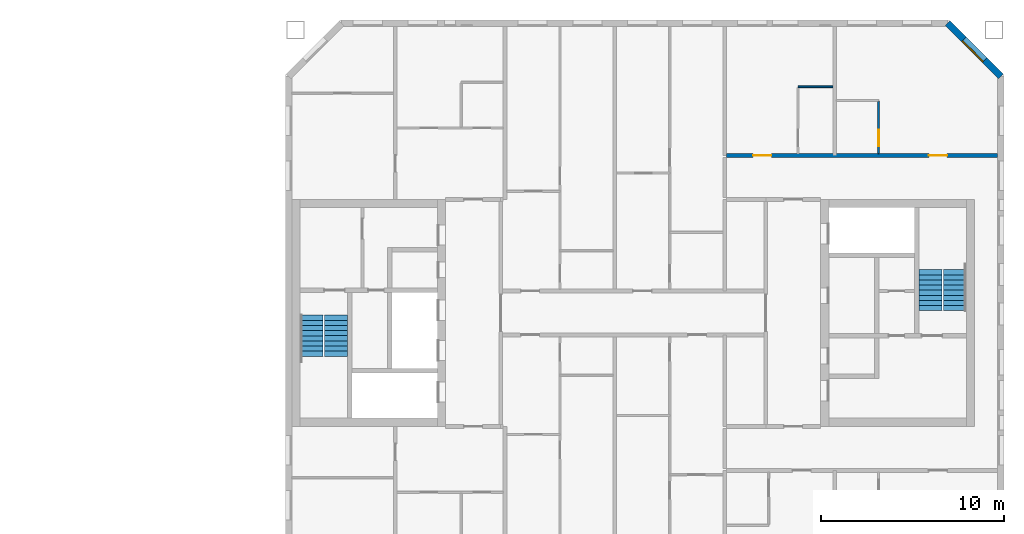
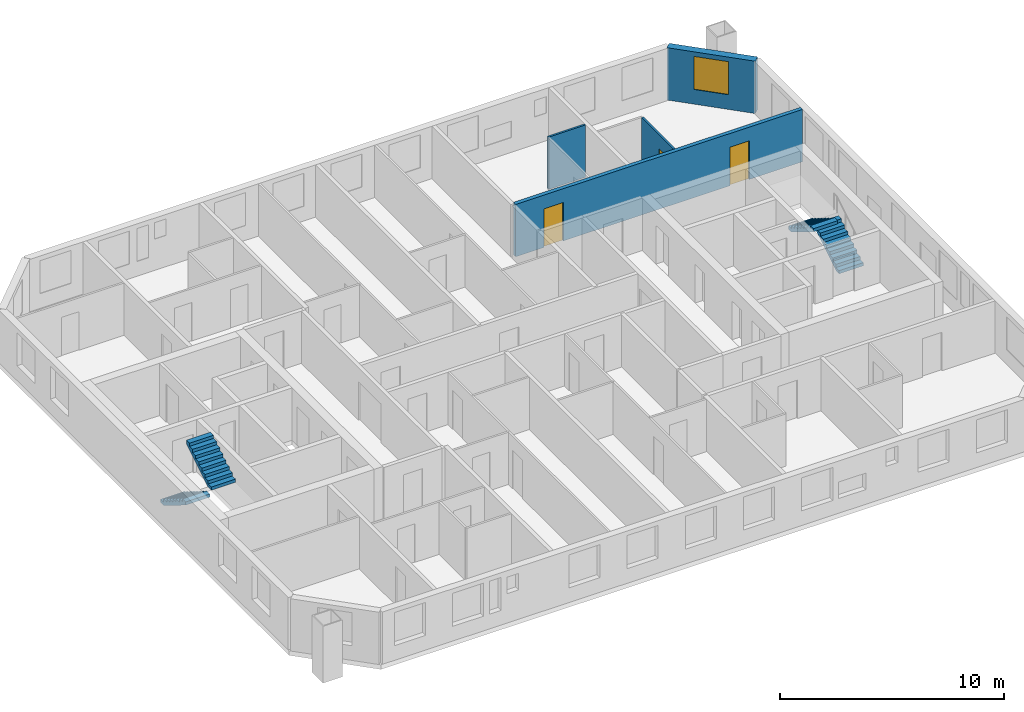
# One storey, part 14 of 16: 4 stair flights, 4 walls, 3 doors, 1 window, 4 openings, 2 elements without a shape of their own.
"""IFC4 building model written with IfcOpenShell, lengths in metres."""

from ifc_helpers import new_model, si_unit, direction, frame, frame_2d, origin, place, context, subcontext, project, spatial, polyline, rectangle, outline, extrude, material, layer, layer_set, type_object, element, fill, aggregate, save


model = new_model("IFC4")

# Units and contexts
model_context = context("Model", 3, precision=1e-05, world=origin(), true_north=direction((0.0, 1.0)))
body_context = subcontext(model_context, "Body", "Model", "MODEL_VIEW")
ifc_project = project(units=[si_unit("LENGTHUNIT", "METRE"), si_unit("AREAUNIT", "SQUARE_METRE"), si_unit("VOLUMEUNIT", "CUBIC_METRE"), si_unit("PLANEANGLEUNIT", "RADIAN"), si_unit("MASSUNIT", "GRAM", prefix="KILO")], contexts=[model_context])

# Site, building, storey
site_placement = place(None, origin())
site = spatial("IfcSite", under=ifc_project, at=site_placement, CompositionType="ELEMENT")
building_placement = place(site_placement, origin())
building = spatial("IfcBuilding", under=site, at=building_placement, Name="Tuart Gate Housing", CompositionType="ELEMENT")
storey_placement = place(building_placement, frame((0.0, 0.0, 182.0)))
storey = spatial("IfcBuildingStorey", under=building, at=storey_placement, Name="L51", CompositionType="ELEMENT", Elevation=182.0)

# Wall, opening, window
ifc_material_1 = material(Name="Brick", Category="masonry")
ifc_layer_1 = layer(ifc_material_1, 0.360107421875)
ifc_layer_set_1 = layer_set([ifc_layer_1], Name="Brick pier and spandrel wall 360")
wall_type_1 = type_object("IfcWallType", Name="Brick pier and spandrel wall 360", PredefinedType="STANDARD", material=ifc_layer_set_1)
wall_1_placement = place(storey_placement, frame((170.070068359375, 82.92529296875, 0.0), z_axis=(0.0, 0.0, 1.0), x_axis=(-0.707106781187, 0.707106781187, 0.0)))
wall_1 = element("IfcWall", 1, at=wall_1_placement, inside=storey, type_object=wall_type_1, Name="External wall B-NE L51", PredefinedType="STANDARD", context=body_context, shape_type="SweptSolid", body=[
    extrude(rectangle(XDim=4.09375, YDim=0.360107421875, at=frame_2d((2.046875, 0.0))), origin(), (0.0, 0.0, 1.0), 2.85009765625),
])
opening_1_placement = place(wall_1_placement, frame((1.2470703125, 0.0, 0.800048828125)))
opening_1 = element("IfcOpeningElement", 2, at=opening_1_placement, cuts=wall_1, Name="Opening W1", PredefinedType="OPENING", context=body_context, shape_type="SweptSolid", body=[
    extrude(rectangle(XDim=1.60009765625, YDim=1.800048828125, at=frame_2d((0.800048828125, 0.89990234375))), frame((0.0, 0.18994140625, 0.0), z_axis=(0.0, -1.0, 0.0), x_axis=(1.0, 0.0, 0.0)), (0.0, 0.0, 1.0), 0.380126953125),
])
ifc_material_2 = material(Name="Aluminium frame with clear glass", Category="aluminium")
window_type = type_object("IfcWindowType", Name="Punched window 1600 x 1800", PartitioningType="SINGLE_PANEL", PredefinedType="WINDOW", material=ifc_material_2)
window_placement = place(opening_1_placement, origin())
window = element("IfcWindow", 3, at=window_placement, inside=storey, type_object=window_type, Name="Window W1", OverallHeight=1.800048828125, OverallWidth=1.60009765625, PartitioningType="SINGLE_PANEL", PredefinedType="WINDOW", context=body_context, shape_type="SweptSolid", body=[
    extrude(rectangle(XDim=1.60009765625, YDim=1.800048828125, at=frame_2d((0.800048828125, 0.89990234375))), frame((0.0, 0.150146484375, 0.0), z_axis=(0.0, -1.0, 0.0), x_axis=(1.0, 0.0, 0.0)), (0.0, 0.0, 1.0), 0.06005859375),
])
fill(opening_1, window)

# Wall, openings, doors
ifc_material_3 = material(Name="Concrete masonry 15 MPa", Category="masonry")
ifc_layer_2 = layer(ifc_material_3, 0.199951171875)
ifc_layer_set_2 = layer_set([ifc_layer_2], Name="Corridor wall masonry 200")
wall_type_2 = type_object("IfcWallType", Name="Corridor wall masonry 200", PredefinedType="PARTITIONING", material=ifc_layer_set_2)
wall_2_placement = place(storey_placement, frame((155.10009765625, 78.60009765625, 0.0), z_axis=(0.0, 0.0, 1.0), x_axis=(1.0, 0.0, 0.0)))
wall_2 = element("IfcWall", 4, at=wall_2_placement, inside=storey, type_object=wall_type_2, Name="Corridor wall masonry 200", PredefinedType="PARTITIONING", context=body_context, shape_type="SweptSolid", body=[
    extrude(rectangle(XDim=14.789794921875, YDim=0.199951171875, at=frame_2d((7.39501953125, 0.0))), origin(), (0.0, 0.0, 1.0), 2.85009765625),
])
opening_2_placement = place(wall_2_placement, frame((1.449951171875, 0.0, 0.0)))
opening_2 = element("IfcOpeningElement", 5, at=opening_2_placement, cuts=wall_2, Name="Opening D1797", PredefinedType="OPENING", context=body_context, shape_type="SweptSolid", body=[
    extrude(rectangle(XDim=1.0, YDim=2.10009765625, at=frame_2d((0.5, 1.050048828125))), frame((0.0, 0.10986328125, 0.0), z_axis=(0.0, -1.0, 0.0), x_axis=(1.0, 0.0, 0.0)), (0.0, 0.0, 1.0), 0.219970703125),
])
opening_3_placement = place(wall_2_placement, frame((11.044921875, 0.0, 0.0)))
opening_3 = element("IfcOpeningElement", 6, at=opening_3_placement, cuts=wall_2, Name="Opening D1798", PredefinedType="OPENING", context=body_context, shape_type="SweptSolid", body=[
    extrude(rectangle(XDim=1.0, YDim=2.10009765625, at=frame_2d((0.5, 1.050048828125))), frame((0.0, 0.10986328125, 0.0), z_axis=(0.0, -1.0, 0.0), x_axis=(1.0, 0.0, 0.0)), (0.0, 0.0, 1.0), 0.219970703125),
])
ifc_material_4 = material(Name="Timber door leaf in steel frame", Category="steel")
door_type_1 = type_object("IfcDoorType", Name="Flat entrance door 1000", OperationType="SINGLE_SWING_LEFT", PredefinedType="DOOR", material=ifc_material_4)
door_1_placement = place(opening_3_placement, origin())
door_1 = element("IfcDoor", 7, at=door_1_placement, inside=storey, type_object=door_type_1, Name="Flat entrance door", OperationType="SINGLE_SWING_LEFT", OverallHeight=2.10009765625, OverallWidth=1.0, PredefinedType="DOOR", context=body_context, shape_type="SweptSolid", body=[
    extrude(rectangle(XDim=1.0, YDim=2.10009765625, at=frame_2d((0.5, 1.050048828125))), frame((0.0, 0.02490234375, 0.0), z_axis=(0.0, -1.0, 0.0), x_axis=(1.0, 0.0, 0.0)), (0.0, 0.0, 1.0), 0.050048828125),
])
fill(opening_3, door_1)
ifc_material_5 = material(Name="Timber door leaf in steel frame", Category="steel")
door_type_2 = type_object("IfcDoorType", Name="Flat entrance door 1000 RH", OperationType="SINGLE_SWING_RIGHT", PredefinedType="DOOR", material=ifc_material_5)
door_2_placement = place(opening_2_placement, origin())
door_2 = element("IfcDoor", 8, at=door_2_placement, inside=storey, type_object=door_type_2, Name="Flat entrance door", OperationType="SINGLE_SWING_RIGHT", OverallHeight=2.10009765625, OverallWidth=1.0, PredefinedType="DOOR", context=body_context, shape_type="SweptSolid", body=[
    extrude(rectangle(XDim=1.0, YDim=2.10009765625, at=frame_2d((0.5, 1.050048828125))), frame((0.0, 0.02490234375, 0.0), z_axis=(0.0, -1.0, 0.0), x_axis=(1.0, 0.0, 0.0)), (0.0, 0.0, 1.0), 0.050048828125),
])
fill(opening_2, door_2)

# Wall
ifc_material_6 = material(Name="Gypsum board on steel studs", Category="steel")
ifc_layer_3 = layer(ifc_material_6, 0.10009765625)
ifc_layer_set_3 = layer_set([ifc_layer_3], Name="Partition 100")
wall_type_3 = type_object("IfcWallType", Name="Partition 100", PredefinedType="PARTITIONING", material=ifc_layer_set_3)
wall_3_placement = place(storey_placement, frame((159.0, 82.35009765625, 0.0), z_axis=(0.0, 0.0, 1.0), x_axis=(1.0, 0.0, 0.0)))
element("IfcWall", 9, at=wall_3_placement, inside=storey, type_object=wall_type_3, Name="Partition 100", PredefinedType="PARTITIONING", context=body_context, shape_type="SweptSolid", body=[
    extrude(rectangle(XDim=1.89990234375, YDim=0.10009765625, at=frame_2d((0.949951171875, 0.0))), origin(), (0.0, 0.0, 1.0), 2.85009765625),
])

# Wall, opening, door
wall_4_placement = place(storey_placement, frame((163.39990234375, 78.699951171875, 0.0), z_axis=(0.0, 0.0, 1.0), x_axis=(0.0, 1.0, 0.0)))
wall_4 = element("IfcWall", 10, at=wall_4_placement, inside=storey, type_object=wall_type_3, Name="Partition 100", PredefinedType="PARTITIONING", context=body_context, shape_type="SweptSolid", body=[
    extrude(rectangle(XDim=2.85009765625, YDim=0.10009765625, at=frame_2d((1.425048828125, 0.0))), origin(), (0.0, 0.0, 1.0), 2.85009765625),
])
opening_4_placement = place(wall_4_placement, frame((0.39990234375, 0.0, 0.0)))
opening_4 = element("IfcOpeningElement", 11, at=opening_4_placement, cuts=wall_4, Name="Opening D1794", PredefinedType="OPENING", context=body_context, shape_type="SweptSolid", body=[
    extrude(rectangle(XDim=0.89990234375, YDim=2.10009765625, at=frame_2d((0.449951171875, 1.050048828125))), frame((0.0, 0.06005859375, 0.0), z_axis=(0.0, -1.0, 0.0), x_axis=(1.0, 0.0, 0.0)), (0.0, 0.0, 1.0), 0.1201171875),
])
ifc_material_7 = material(Name="Timber door leaf in steel frame", Category="steel")
door_type_3 = type_object("IfcDoorType", Name="Bathroom door 900", OperationType="SINGLE_SWING_LEFT", PredefinedType="DOOR", material=ifc_material_7)
door_3_placement = place(opening_4_placement, origin())
door_3 = element("IfcDoor", 12, at=door_3_placement, inside=storey, type_object=door_type_3, Name="Bathroom door", OperationType="SINGLE_SWING_LEFT", OverallHeight=2.10009765625, OverallWidth=0.89990234375, PredefinedType="DOOR", context=body_context, shape_type="SweptSolid", body=[
    extrude(rectangle(XDim=0.89990234375, YDim=2.10009765625, at=frame_2d((0.449951171875, 1.050048828125))), frame((0.0, 0.02490234375, 0.0), z_axis=(0.0, -1.0, 0.0), x_axis=(1.0, 0.0, 0.0)), (0.0, 0.0, 1.0), 0.050048828125),
])
fill(opening_4, door_3)

# Stair, stair flights
ifc_material_8 = material(Name="Concrete C40", Category="concrete")
stair_type = type_object("IfcStairType", Name="Core stair 1250", PredefinedType="HALF_TURN_STAIR", material=ifc_material_8)
stair_1_placement = place(storey_placement, origin())
stair_1 = element("IfcStair", 13, at=stair_1_placement, inside=storey, type_object=stair_type, Name="Stair SB1", PredefinedType="HALF_TURN_STAIR")
ifc_material_9 = material(Name="Concrete C40", Category="concrete")
stair_flight_type = type_object("IfcStairFlightType", Name="Stair flight 1250, 9 risers 172 x 280", PredefinedType="STRAIGHT", material=ifc_material_9)
stair_flight_1_placement = place(storey_placement, frame((132.43505859375, 69.875, 0.0), z_axis=(0.0, 0.0, 1.0), x_axis=(0.0, -1.0, 0.0)))
stair_flight_1 = element("IfcStairFlight", 14, at=stair_flight_1_placement, type_object=stair_flight_type, Name="SB1 flight 1", NumberOfRisers=9, NumberOfTreads=8, PredefinedType="STRAIGHT", RiserHeight=0.172222222, TreadLength=0.28, context=body_context, shape_type="SweptSolid", body=[
    extrude(outline(polyline([(0.0, 0.0), (0.0, 0.172119140625), (0.280029296875, 0.172119140625), (0.280029296875, 0.344482421875), (0.56005859375, 0.344482421875), (0.56005859375, 0.5166015625), (0.840087890625, 0.5166015625), (0.840087890625, 0.68896484375), (1.1201171875, 0.68896484375), (1.1201171875, 0.861083984375), (1.39990234375, 0.861083984375), (1.39990234375, 1.033447265625), (1.679931640625, 1.033447265625), (1.679931640625, 1.20556640625), (1.9599609375, 1.20556640625), (1.9599609375, 1.377685546875), (2.239990234375, 1.377685546875), (2.239990234375, 1.550048828125), (2.239990234375, 1.201904296875), (0.2861328125, 0.0), (0.0, 0.0)])), frame((0.0, 0.625, 0.0), z_axis=(0.0, -1.0, 0.0), x_axis=(1.0, 0.0, 0.0)), (0.0, 0.0, 1.0), 1.25),
])
stair_flight_2_placement = place(storey_placement, frame((133.760009765625, 67.635009765625, 1.550048828125), z_axis=(0.0, 0.0, 1.0), x_axis=(0.0, 1.0, 0.0)))
stair_flight_2 = element("IfcStairFlight", 15, at=stair_flight_2_placement, type_object=stair_flight_type, Name="SB1 flight 2", NumberOfRisers=9, NumberOfTreads=8, PredefinedType="STRAIGHT", RiserHeight=0.172222222, TreadLength=0.28, context=body_context, shape_type="SweptSolid", body=[
    extrude(outline(polyline([(0.0, 0.0), (0.0, 0.172119140625), (0.280029296875, 0.172119140625), (0.280029296875, 0.344482421875), (0.56005859375, 0.344482421875), (0.56005859375, 0.5166015625), (0.840087890625, 0.5166015625), (0.840087890625, 0.68896484375), (1.1201171875, 0.68896484375), (1.1201171875, 0.861083984375), (1.39990234375, 0.861083984375), (1.39990234375, 1.033447265625), (1.679931640625, 1.033447265625), (1.679931640625, 1.20556640625), (1.9599609375, 1.20556640625), (1.9599609375, 1.377685546875), (2.239990234375, 1.377685546875), (2.239990234375, 1.550048828125), (2.239990234375, 1.201904296875), (0.2861328125, 0.0), (0.0, 0.0)])), frame((0.0, 0.625, 0.0), z_axis=(0.0, -1.0, 0.0), x_axis=(1.0, 0.0, 0.0)), (0.0, 0.0, 1.0), 1.25),
])
aggregate(stair_1, [stair_flight_1, stair_flight_2])

stair_2_placement = place(storey_placement, origin())
stair_2 = element("IfcStair", 16, at=stair_2_placement, inside=storey, type_object=stair_type, Name="Stair SB2", PredefinedType="HALF_TURN_STAIR")
stair_flight_3_placement = place(storey_placement, frame((167.56494140625, 70.125, 0.0), z_axis=(0.0, 0.0, 1.0), x_axis=(0.0, 1.0, 0.0)))
stair_flight_3 = element("IfcStairFlight", 17, at=stair_flight_3_placement, type_object=stair_flight_type, Name="SB2 flight 1", NumberOfRisers=9, NumberOfTreads=8, PredefinedType="STRAIGHT", RiserHeight=0.172222222, TreadLength=0.28, context=body_context, shape_type="SweptSolid", body=[
    extrude(outline(polyline([(0.0, 0.0), (0.0, 0.172119140625), (0.280029296875, 0.172119140625), (0.280029296875, 0.344482421875), (0.56005859375, 0.344482421875), (0.56005859375, 0.5166015625), (0.840087890625, 0.5166015625), (0.840087890625, 0.68896484375), (1.1201171875, 0.68896484375), (1.1201171875, 0.861083984375), (1.39990234375, 0.861083984375), (1.39990234375, 1.033447265625), (1.679931640625, 1.033447265625), (1.679931640625, 1.20556640625), (1.9599609375, 1.20556640625), (1.9599609375, 1.377685546875), (2.239990234375, 1.377685546875), (2.239990234375, 1.550048828125), (2.239990234375, 1.201904296875), (0.2861328125, 0.0), (0.0, 0.0)])), frame((0.0, 0.625, 0.0), z_axis=(0.0, -1.0, 0.0), x_axis=(1.0, 0.0, 0.0)), (0.0, 0.0, 1.0), 1.25),
])
stair_flight_4_placement = place(storey_placement, frame((166.239990234375, 72.364990234375, 1.550048828125), z_axis=(0.0, 0.0, 1.0), x_axis=(0.0, -1.0, 0.0)))
stair_flight_4 = element("IfcStairFlight", 18, at=stair_flight_4_placement, type_object=stair_flight_type, Name="SB2 flight 2", NumberOfRisers=9, NumberOfTreads=8, PredefinedType="STRAIGHT", RiserHeight=0.172222222, TreadLength=0.28, context=body_context, shape_type="SweptSolid", body=[
    extrude(outline(polyline([(0.0, 0.0), (0.0, 0.172119140625), (0.280029296875, 0.172119140625), (0.280029296875, 0.344482421875), (0.56005859375, 0.344482421875), (0.56005859375, 0.5166015625), (0.840087890625, 0.5166015625), (0.840087890625, 0.68896484375), (1.1201171875, 0.68896484375), (1.1201171875, 0.861083984375), (1.39990234375, 0.861083984375), (1.39990234375, 1.033447265625), (1.679931640625, 1.033447265625), (1.679931640625, 1.20556640625), (1.9599609375, 1.20556640625), (1.9599609375, 1.377685546875), (2.239990234375, 1.377685546875), (2.239990234375, 1.550048828125), (2.239990234375, 1.201904296875), (0.2861328125, 0.0), (0.0, 0.0)])), frame((0.0, 0.625, 0.0), z_axis=(0.0, -1.0, 0.0), x_axis=(1.0, 0.0, 0.0)), (0.0, 0.0, 1.0), 1.25),
])
aggregate(stair_2, [stair_flight_3, stair_flight_4])

save(model, "model.ifc")
